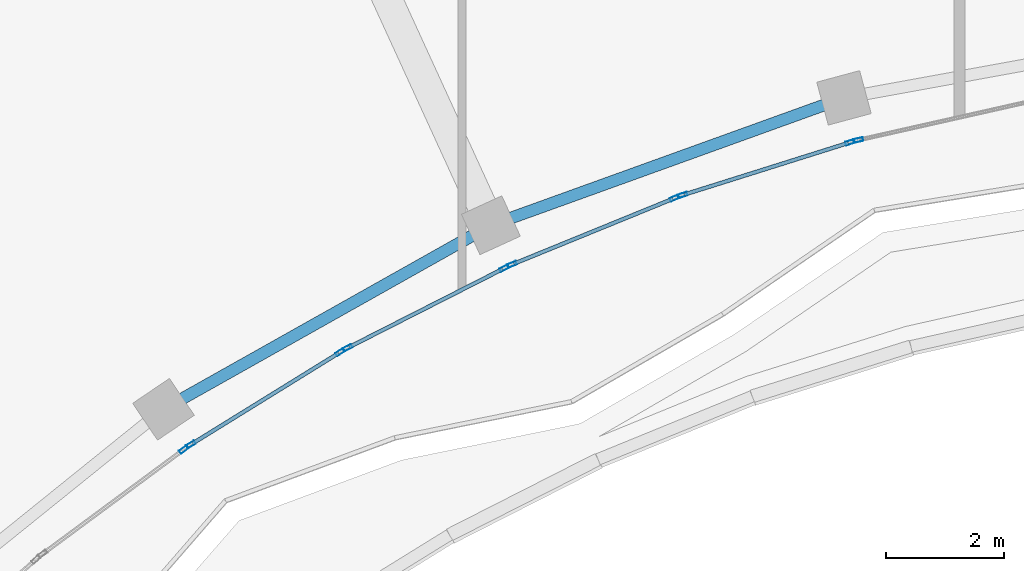
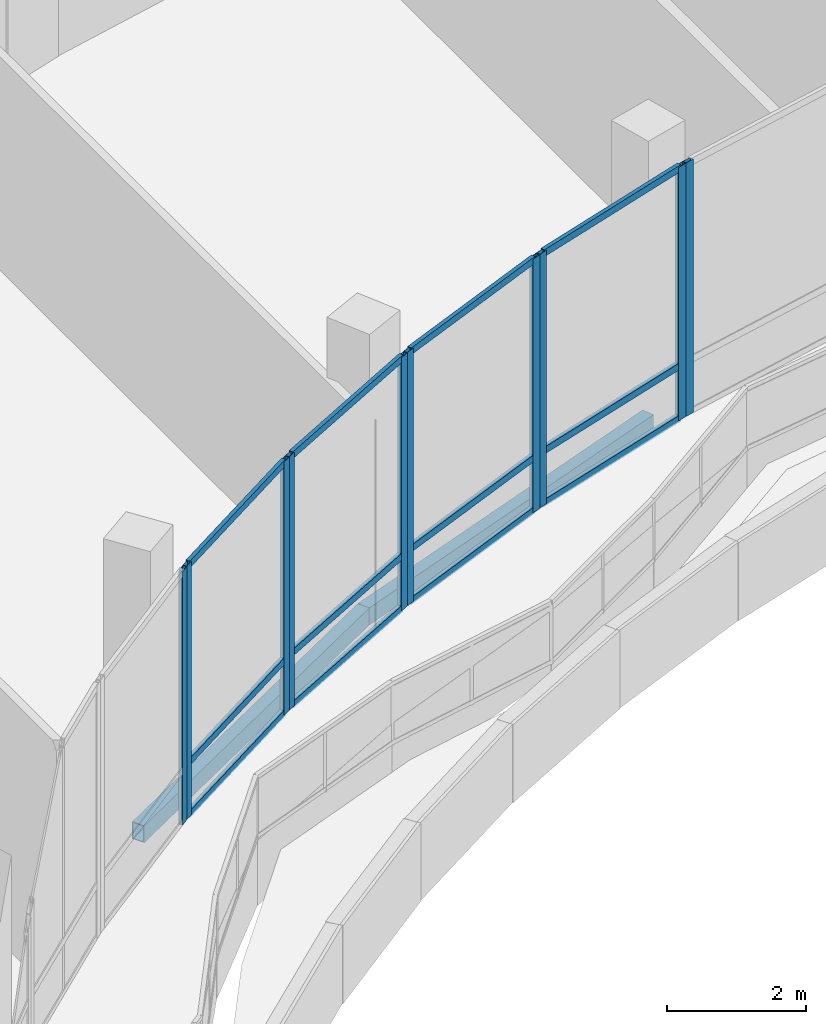
# One storey, part 64 of 168: 22 members, 2 beams, 6 elements without a shape of their own.
"""IFC4 building model written with IfcOpenShell, lengths in metres."""

import ifcopenshell
import ifcopenshell.guid

model = None  # the IFC model being written
_history = None  # IfcOwnerHistory: only IFC2X3 demands one
_inside = {}  # id of a spatial element -> (the spatial element, [elements in it])
_under = {}  # id of a project, library or spatial element -> (it, [spatial elements below it])
_declared = {}  # id of a project -> (the project, [libraries it declares])
_typed = {}  # id of a type object -> (the type object, [elements of that type])
_made_of = {}  # id of a material, layer set ... -> (it, [elements and type objects made of it])


def new_model(schema):
    """Start an empty IFC model of exactly this schema.

    Asked for "IFC4X3", IfcOpenShell would pick the latest addendum, in which some entities
    have other attributes; the version numbers below select the first issue.
    IFC2X3 requires an IfcOwnerHistory on every rooted entity: one is made here for all.
    """
    global model, _history
    if schema == "IFC4X3":
        model = ifcopenshell.file(schema_version=(4, 3, 0, 0))
    else:
        model = ifcopenshell.file(schema=schema)
    _inside.clear()
    _under.clear()
    _declared.clear()
    _typed.clear()
    _made_of.clear()
    _history = None
    if model.schema == "IFC2X3":
        org = make("IfcOrganization", Name="unknown")
        user = make(
            "IfcPersonAndOrganization",
            ThePerson=make("IfcPerson", FamilyName="unknown"),
            TheOrganization=org,
        )
        app = make(
            "IfcApplication",
            ApplicationDeveloper=org,
            Version="unknown",
            ApplicationFullName="unknown",
            ApplicationIdentifier="unknown",
        )
        _history = make(
            "IfcOwnerHistory",
            OwningUser=user,
            OwningApplication=app,
            ChangeAction="ADDED",
            CreationDate=0,
        )
    return model


def make(cls, **values):
    """One entity of the class cls with the attributes given. An attribute that is None is left unset."""
    return model.create_entity(
        cls, **{name: value for name, value in values.items() if value is not None}
    )


def rooted(cls, **values):
    """An entity with a GlobalId (a new one), such as an element, a storey or a relation."""
    return make(cls, GlobalId=ifcopenshell.guid.new(), OwnerHistory=_history, **values)


def si_unit(unit_type, name, prefix=None):
    """IfcSIUnit, for example si_unit("LENGTHUNIT", "METRE", prefix="MILLI")."""
    return make("IfcSIUnit", UnitType=unit_type, Prefix=prefix, Name=name)


def assignment(units):
    """IfcUnitAssignment: the units of a project."""
    return None if units is None else make("IfcUnitAssignment", Units=units)


def point(xyz):
    """IfcCartesianPoint."""
    return None if xyz is None else make("IfcCartesianPoint", Coordinates=xyz)


def direction(xyz):
    """IfcDirection."""
    return None if xyz is None else make("IfcDirection", DirectionRatios=xyz)


def frame(location, z_axis=None, x_axis=None):
    """IfcAxis2Placement3D, a coordinate frame: its origin and axes. An axis left out is left unset."""
    return make(
        "IfcAxis2Placement3D",
        Location=point(location),
        Axis=direction(z_axis),
        RefDirection=direction(x_axis),
    )


def frame_2d(location, x_axis=None):
    """IfcAxis2Placement2D, a coordinate frame in the plane: its origin and x axis."""
    return make(
        "IfcAxis2Placement2D", Location=point(location), RefDirection=direction(x_axis)
    )


def origin():
    """The frame at (0, 0, 0) with its axes left unset."""
    return frame((0.0, 0.0, 0.0))


def origin_2d():
    """The frame at (0, 0) in the plane with its x axis left unset."""
    return frame_2d((0.0, 0.0))


def place(relative_to, where):
    """IfcLocalPlacement: puts the frame where relative to a parent placement (None: the world)."""
    return make(
        "IfcLocalPlacement", PlacementRelTo=relative_to, RelativePlacement=where
    )


def context(
    kind, dimensions, precision=None, world=None, true_north=None, identifier=None
):
    """IfcGeometricRepresentationContext, for example the 3D "Model" context."""
    return make(
        "IfcGeometricRepresentationContext",
        ContextIdentifier=identifier,
        ContextType=kind,
        CoordinateSpaceDimension=dimensions,
        Precision=precision,
        WorldCoordinateSystem=world,
        TrueNorth=true_north,
    )


def subcontext(parent, identifier, kind, view, scale=None):
    """IfcGeometricRepresentationSubContext, for example "Body" below "Model"."""
    return make(
        "IfcGeometricRepresentationSubContext",
        ContextIdentifier=identifier,
        ContextType=kind,
        ParentContext=parent,
        TargetScale=scale,
        TargetView=view,
    )


def project(units=None, contexts=None):
    """IfcProject with its units and contexts."""
    return rooted(
        "IfcProject",
        Name="project",
        RepresentationContexts=contexts,
        UnitsInContext=assignment(units),
    )


def spatial(cls, under=None, at=None, **own):
    """A site, building, storey or space (cls), placed at a placement, below another one or the project."""
    s = rooted(cls, ObjectPlacement=at, **own)
    if under is not None:
        _under.setdefault(under.id(), (under, []))[1].append(s)
    return s


def profile(cls, at=None, kind="AREA", **sizes):
    """A parametric profile (cls). Its sizes go by their IFC names, for example OverallWidth=200.0."""
    return make(cls, ProfileType=kind, Position=at, **sizes)


def hollow_rectangle(**sizes):
    """IfcRectangleHollowProfileDef."""
    return profile("IfcRectangleHollowProfileDef", **sizes)


def extrude(swept, where, along, depth):
    """IfcExtrudedAreaSolid: the profile swept, set in the frame where, extruded along a direction by depth."""
    return make(
        "IfcExtrudedAreaSolid",
        SweptArea=swept,
        Position=where,
        ExtrudedDirection=direction(along),
        Depth=depth,
    )


def shape(context_of_items, identifier, shape_type, items):
    """IfcShapeRepresentation: the items that make up one representation, for example the "Body"."""
    return make(
        "IfcShapeRepresentation",
        ContextOfItems=context_of_items,
        RepresentationIdentifier=identifier,
        RepresentationType=shape_type,
        Items=items,
    )


def material(Name=None, Category=None):
    """IfcMaterial."""
    return make("IfcMaterial", Name=Name, Category=Category)


def material_profile(
    of_material, cross_section, Name=None, Category=None, Priority=None
):
    """IfcMaterialProfile: a cross section and its material."""
    return make(
        "IfcMaterialProfile",
        Name=Name,
        Material=of_material,
        Profile=cross_section,
        Priority=Priority,
        Category=Category,
    )


def profile_set(profiles, Name=None, composite=None):
    """IfcMaterialProfileSet."""
    return make(
        "IfcMaterialProfileSet",
        Name=Name,
        MaterialProfiles=profiles,
        CompositeProfile=composite,
    )


def made_of(thing, what):
    """Note that an element or type object is made of a material, layer set ...; save() writes the relation."""
    if what is not None:
        _made_of.setdefault(what.id(), (what, []))[1].append(thing)
    return thing


def type_object(cls, material=None, **own):
    """A type object (cls), such as IfcWallType, which elements share."""
    return made_of(rooted(cls, **own), material)


def element(
    cls,
    number,
    at=None,
    inside=None,
    cuts=None,
    type_object=None,
    material=None,
    context=None,
    identifier="Body",
    shape_type=None,
    held_by="IfcProductDefinitionShape",
    body=None,
    shapes=None,
    **own,
):
    """One element of the class cls, such as IfcWall. Its Tag is "e" and its number.

    at: its placement. inside: the storey or other place that contains it. cuts: it is an
    opening in that element (IfcRelVoidsElement). A single representation is given by context,
    identifier, shape_type and body (its items); several are given by shapes. held_by: the class
    of the entity that holds the representations. save() writes the other relations.
    """
    e = rooted(cls, Tag="e%d" % number, ObjectPlacement=at, **own)
    if body is not None:
        shapes = [shape(context, identifier, shape_type, body)]
    if shapes is not None:
        e.Representation = make(held_by, Representations=shapes)
    if inside is not None:
        _inside.setdefault(inside.id(), (inside, []))[1].append(e)
    if cuts is not None:
        rooted(
            "IfcRelVoidsElement", RelatingBuildingElement=cuts, RelatedOpeningElement=e
        )
    if type_object is not None:
        _typed.setdefault(type_object.id(), (type_object, []))[1].append(e)
    return made_of(e, material)


def aggregate(whole, parts):
    """IfcRelAggregates: a whole, such as a stair, and the parts it consists of."""
    return rooted("IfcRelAggregates", RelatingObject=whole, RelatedObjects=parts)


def save(model, path):
    """Write the relations noted so far, then the file.

    IfcRelAggregates (storeys below a building ...), IfcRelContainedInSpatialStructure (elements
    in a storey), IfcRelDefinesByType, IfcRelAssociatesMaterial and IfcRelDeclares: one each for
    every whole, place, type object, material and project.
    """
    for whole, parts in _under.values():
        aggregate(whole, parts)
    for where, things in _inside.values():
        rooted(
            "IfcRelContainedInSpatialStructure",
            RelatedElements=things,
            RelatingStructure=where,
        )
    for kind, things in _typed.values():
        rooted("IfcRelDefinesByType", RelatedObjects=things, RelatingType=kind)
    for what, things in _made_of.values():
        rooted("IfcRelAssociatesMaterial", RelatedObjects=things, RelatingMaterial=what)
    for by, libraries in _declared.values():
        rooted("IfcRelDeclares", RelatingContext=by, RelatedDefinitions=libraries)
    model.write(path)


model = new_model("IFC4")

# Units and contexts
model_context = context("Model", 3, precision=1e-05, world=origin(), true_north=direction((0.0, 1.0)))
body_context = subcontext(model_context, "Body", "Model", "MODEL_VIEW")
ifc_project = project(units=[si_unit("LENGTHUNIT", "METRE"), si_unit("AREAUNIT", "SQUARE_METRE"), si_unit("VOLUMEUNIT", "CUBIC_METRE"), si_unit("PLANEANGLEUNIT", "RADIAN"), si_unit("MASSUNIT", "GRAM", prefix="KILO")], contexts=[model_context])

# Site, building, storey
site_placement = place(None, origin())
site = spatial("IfcSite", under=ifc_project, at=site_placement, CompositionType="ELEMENT")
building_placement = place(site_placement, origin())
building = spatial("IfcBuilding", under=site, at=building_placement, Name="Selatvlak General Hospital", CompositionType="ELEMENT")
storey_placement = place(building_placement, frame((0.0, 0.0, 5.39990234375)))
storey = spatial("IfcBuildingStorey", under=building, at=storey_placement, Name="L01", CompositionType="ELEMENT", Elevation=5.39990234375)

# Beams
ifc_material_1 = material(Name="Steel S355", Category="steel")
ifc_material_profile_1 = material_profile(ifc_material_1, hollow_rectangle(XDim=0.199951171875, YDim=0.300048828125, WallThickness=0.011962890625, at=origin_2d()), Name="RHS 300x200x12")
ifc_profile_set_1 = profile_set([ifc_material_profile_1], Name="Steel S355")
beam_type = type_object("IfcBeamType", Name="BM-SP3", PredefinedType="SPANDREL", material=ifc_profile_set_1)
beam_1_placement = place(storey_placement, frame((118.552978515625, 48.172119140625, -0.469970703125), z_axis=(0.871730663488, 0.489985357266, 0.0), x_axis=(-0.489985357266, 0.871730663488, 0.0)))
element("IfcBeam", 1, at=beam_1_placement, inside=storey, type_object=beam_type, Name="Beam BMR-L01-0761", PredefinedType="SPANDREL", context=body_context, shape_type="SweptSolid", body=[
    extrude(hollow_rectangle(XDim=0.199951171875, YDim=0.300048828125, WallThickness=0.011962890625, at=origin_2d()), origin(), (0.0, 0.0, 1.0), 6.344970703125),
])
beam_2_placement = place(storey_placement, frame((124.083984375, 51.281005859375, -0.469970703125), z_axis=(0.94065259152, 0.339371038933, 0.0), x_axis=(-0.339371038933, 0.94065259152, 0.0)))
element("IfcBeam", 2, at=beam_2_placement, inside=storey, type_object=beam_type, Name="Beam BMR-L01-0762", PredefinedType="SPANDREL", context=body_context, shape_type="SweptSolid", body=[
    extrude(hollow_rectangle(XDim=0.199951171875, YDim=0.300048828125, WallThickness=0.011962890625, at=origin_2d()), origin(), (0.0, 0.0, 1.0), 6.341552734375),
])

# Curtain wall, member
ifc_material_2 = material(Name="Solar-control Low-E double glazing", Category="glass")
curtain_wall_type_1 = type_object("IfcCurtainWallType", Name="CW-CW-01", PredefinedType="USERDEFINED", material=ifc_material_2)
curtain_wall_1_placement = place(storey_placement, origin())
curtain_wall_1 = element("IfcCurtainWall", 3, at=curtain_wall_1_placement, inside=storey, type_object=curtain_wall_type_1, Name="Glazed facade curtain wall CW-L01-0155", ObjectType="UNITISED CURTAIN WALL", PredefinedType="USERDEFINED")
ifc_material_3 = material(Name="Dark anodised aluminium mullion", Category="aluminium")
ifc_material_profile_2 = material_profile(ifc_material_3, hollow_rectangle(XDim=0.06494140625, YDim=0.159912109375, WallThickness=0.00390625, at=origin_2d()), Name="AL-MUL 65x160x4")
ifc_profile_set_2 = profile_set([ifc_material_profile_2], Name="Dark anodised aluminium mullion")
member_type_1 = type_object("IfcMemberType", Name="CWM-01", PredefinedType="MULLION", material=ifc_profile_set_2)
member_1_placement = place(storey_placement, frame((130.292724609375, 52.72021484375, 0.0), z_axis=(0.0, 0.0, 1.0), x_axis=(0.219653455874, -0.975577961684, 0.0)))
member_1 = element("IfcMember", 4, at=member_1_placement, type_object=member_type_1, Name="CW-01 mullion 2", PredefinedType="MULLION", context=body_context, shape_type="SweptSolid", body=[
    extrude(hollow_rectangle(XDim=0.06494140625, YDim=0.159912109375, WallThickness=0.00390625, at=origin_2d()), origin(), (0.0, 0.0, 1.0), 4.445068359375),
])
aggregate(curtain_wall_1, [member_1])

# Curtain wall, members
curtain_wall_type_2 = type_object("IfcCurtainWallType", Name="CW-CW-02", PredefinedType="USERDEFINED", material=ifc_material_2)
curtain_wall_2_placement = place(storey_placement, origin())
curtain_wall_2 = element("IfcCurtainWall", 5, at=curtain_wall_2_placement, inside=storey, type_object=curtain_wall_type_2, Name="Glazed facade curtain wall CW-L01-0156", ObjectType="UNITISED CURTAIN WALL", PredefinedType="USERDEFINED")
member_2_placement = place(storey_placement, frame((130.153076171875, 52.68115234375, 0.0), z_axis=(0.0, 0.0, 1.0), x_axis=(0.300246961422, -0.953861500511, 0.0)))
member_2 = element("IfcMember", 6, at=member_2_placement, type_object=member_type_1, Name="CW-02 mullion 1", PredefinedType="MULLION", context=body_context, shape_type="SweptSolid", body=[
    extrude(hollow_rectangle(XDim=0.06494140625, YDim=0.159912109375, WallThickness=0.00390625, at=origin_2d()), origin(), (0.0, 0.0, 1.0), 4.445068359375),
])
member_3_placement = place(storey_placement, frame((127.323974609375, 51.790771484375, 0.0), z_axis=(0.0, 0.0, 1.0), x_axis=(0.300246961422, -0.953861500511, 0.0)))
member_3 = element("IfcMember", 7, at=member_3_placement, type_object=member_type_1, Name="CW-02 mullion 2", PredefinedType="MULLION", context=body_context, shape_type="SweptSolid", body=[
    extrude(hollow_rectangle(XDim=0.06494140625, YDim=0.159912109375, WallThickness=0.00390625, at=origin_2d()), origin(), (0.0, 0.0, 1.0), 4.445068359375),
])

curtain_wall_3_placement = place(storey_placement, origin())
curtain_wall_3 = element("IfcCurtainWall", 8, at=curtain_wall_3_placement, inside=storey, type_object=curtain_wall_type_1, Name="Glazed facade curtain wall CW-L01-0157", ObjectType="UNITISED CURTAIN WALL", PredefinedType="USERDEFINED")
member_4_placement = place(storey_placement, frame((127.18896484375, 51.73974609375, 0.0), z_axis=(0.0, 0.0, 1.0), x_axis=(0.377977773903, -0.925814669594, 0.0)))
member_4 = element("IfcMember", 9, at=member_4_placement, type_object=member_type_1, Name="CW-01 mullion 1", PredefinedType="MULLION", context=body_context, shape_type="SweptSolid", body=[
    extrude(hollow_rectangle(XDim=0.06494140625, YDim=0.159912109375, WallThickness=0.00390625, at=origin_2d()), origin(), (0.0, 0.0, 1.0), 4.445068359375),
])
member_5_placement = place(storey_placement, frame((124.442138671875, 50.6181640625, 0.0), z_axis=(0.0, 0.0, 1.0), x_axis=(0.377977773903, -0.925814669594, 0.0)))
member_5 = element("IfcMember", 10, at=member_5_placement, type_object=member_type_1, Name="CW-01 mullion 2", PredefinedType="MULLION", context=body_context, shape_type="SweptSolid", body=[
    extrude(hollow_rectangle(XDim=0.06494140625, YDim=0.159912109375, WallThickness=0.00390625, at=origin_2d()), origin(), (0.0, 0.0, 1.0), 4.445068359375),
])

curtain_wall_4_placement = place(storey_placement, origin())
curtain_wall_4 = element("IfcCurtainWall", 11, at=curtain_wall_4_placement, inside=storey, type_object=curtain_wall_type_2, Name="Glazed facade curtain wall CW-L01-0158", ObjectType="UNITISED CURTAIN WALL", PredefinedType="USERDEFINED")
member_6_placement = place(storey_placement, frame((124.31103515625, 50.55517578125, 0.0), z_axis=(0.0, 0.0, 1.0), x_axis=(0.453135718509, -0.89144154077, 0.0)))
member_6 = element("IfcMember", 12, at=member_6_placement, type_object=member_type_1, Name="CW-02 mullion 1", PredefinedType="MULLION", context=body_context, shape_type="SweptSolid", body=[
    extrude(hollow_rectangle(XDim=0.06494140625, YDim=0.159912109375, WallThickness=0.00390625, at=origin_2d()), origin(), (0.0, 0.0, 1.0), 4.445068359375),
])
member_7_placement = place(storey_placement, frame((121.6640625, 49.209716796875, 0.0), z_axis=(0.0, 0.0, 1.0), x_axis=(0.453135718509, -0.89144154077, 0.0)))
member_7 = element("IfcMember", 13, at=member_7_placement, type_object=member_type_1, Name="CW-02 mullion 2", PredefinedType="MULLION", context=body_context, shape_type="SweptSolid", body=[
    extrude(hollow_rectangle(XDim=0.06494140625, YDim=0.159912109375, WallThickness=0.00390625, at=origin_2d()), origin(), (0.0, 0.0, 1.0), 4.445068359375),
])

curtain_wall_5_placement = place(storey_placement, origin())
curtain_wall_5 = element("IfcCurtainWall", 14, at=curtain_wall_5_placement, inside=storey, type_object=curtain_wall_type_1, Name="Glazed facade curtain wall CW-L01-0159", ObjectType="UNITISED CURTAIN WALL", PredefinedType="USERDEFINED")
member_8_placement = place(storey_placement, frame((121.538330078125, 49.136962890625, 0.0), z_axis=(0.0, 0.0, 1.0), x_axis=(0.526047826435, -0.850454986641, 0.0)))
member_8 = element("IfcMember", 15, at=member_8_placement, type_object=member_type_1, Name="CW-01 mullion 1", PredefinedType="MULLION", context=body_context, shape_type="SweptSolid", body=[
    extrude(hollow_rectangle(XDim=0.06494140625, YDim=0.159912109375, WallThickness=0.00390625, at=origin_2d()), origin(), (0.0, 0.0, 1.0), 4.445068359375),
])
member_9_placement = place(storey_placement, frame((119.0166015625, 47.5771484375, 0.0), z_axis=(0.0, 0.0, 1.0), x_axis=(0.526047826435, -0.850454986641, 0.0)))
member_9 = element("IfcMember", 16, at=member_9_placement, type_object=member_type_1, Name="CW-01 mullion 2", PredefinedType="MULLION", context=body_context, shape_type="SweptSolid", body=[
    extrude(hollow_rectangle(XDim=0.06494140625, YDim=0.159912109375, WallThickness=0.00390625, at=origin_2d()), origin(), (0.0, 0.0, 1.0), 4.445068359375),
])

# Curtain wall, member
curtain_wall_6_placement = place(storey_placement, origin())
curtain_wall_6 = element("IfcCurtainWall", 17, at=curtain_wall_6_placement, inside=storey, type_object=curtain_wall_type_2, Name="Glazed facade curtain wall CW-L01-0160", ObjectType="UNITISED CURTAIN WALL", PredefinedType="USERDEFINED")
member_10_placement = place(storey_placement, frame((118.89794921875, 47.49365234375, 0.0), z_axis=(0.0, 0.0, 1.0), x_axis=(0.594604312607, -0.804018477045, 0.0)))
member_10 = element("IfcMember", 18, at=member_10_placement, type_object=member_type_1, Name="CW-02 mullion 1", PredefinedType="MULLION", context=body_context, shape_type="SweptSolid", body=[
    extrude(hollow_rectangle(XDim=0.06494140625, YDim=0.159912109375, WallThickness=0.00390625, at=origin_2d()), origin(), (0.0, 0.0, 1.0), 4.445068359375),
])
aggregate(curtain_wall_6, [member_10])

# Member
ifc_material_profile_3 = material_profile(ifc_material_3, hollow_rectangle(XDim=0.06494140625, YDim=0.1201171875, WallThickness=0.00390625, at=origin_2d()), Name="AL-TRN 65x120x4")
ifc_profile_set_3 = profile_set([ifc_material_profile_3], Name="Dark anodised aluminium mullion")
member_type_2 = type_object("IfcMemberType", Name="CWT-01", PredefinedType="USERDEFINED", material=ifc_profile_set_3)
member_11_placement = place(storey_placement, frame((130.1220703125, 52.67138671875, 0.03271484375), z_axis=(-0.95387603128, -0.300200794386, 0.0), x_axis=(0.300200794386, -0.95387603128, 0.0)))
member_11 = element("IfcMember", 19, at=member_11_placement, type_object=member_type_2, Name="CW-02 transom 1.1", ObjectType="TRANSOM", PredefinedType="USERDEFINED", context=body_context, shape_type="SweptSolid", body=[
    extrude(hollow_rectangle(XDim=0.06494140625, YDim=0.1201171875, WallThickness=0.00390625, at=origin_2d()), origin(), (0.0, 0.0, 1.0), 2.90087890625),
])

member_12_placement = place(storey_placement, frame((130.1220703125, 52.67138671875, 0.9501953125), z_axis=(-0.95387603128, -0.300200794386, 0.0), x_axis=(0.300200794386, -0.95387603128, 0.0)))
member_12 = element("IfcMember", 20, at=member_12_placement, type_object=member_type_2, Name="CW-02 transom 1.2", ObjectType="TRANSOM", PredefinedType="USERDEFINED", context=body_context, shape_type="SweptSolid", body=[
    extrude(hollow_rectangle(XDim=0.06494140625, YDim=0.1201171875, WallThickness=0.00390625, at=origin_2d()), origin(), (0.0, 0.0, 1.0), 2.90087890625),
])

member_13_placement = place(storey_placement, frame((130.1220703125, 52.67138671875, 4.41259765625), z_axis=(-0.95387603128, -0.300200794386, 0.0), x_axis=(0.300200794386, -0.95387603128, 0.0)))
member_13 = element("IfcMember", 21, at=member_13_placement, type_object=member_type_2, Name="CW-02 transom 1.3", ObjectType="TRANSOM", PredefinedType="USERDEFINED", context=body_context, shape_type="SweptSolid", body=[
    extrude(hollow_rectangle(XDim=0.06494140625, YDim=0.1201171875, WallThickness=0.00390625, at=origin_2d()), origin(), (0.0, 0.0, 1.0), 2.90087890625),
])

aggregate(curtain_wall_2, [member_2, member_3, member_11, member_12, member_13])

member_14_placement = place(storey_placement, frame((127.158935546875, 51.7275390625, 0.03271484375), z_axis=(-0.925813400573, -0.377980882215, 0.0), x_axis=(0.377980882215, -0.925813400573, 0.0)))
member_14 = element("IfcMember", 22, at=member_14_placement, type_object=member_type_2, Name="CW-01 transom 1.1", ObjectType="TRANSOM", PredefinedType="USERDEFINED", context=body_context, shape_type="SweptSolid", body=[
    extrude(hollow_rectangle(XDim=0.06494140625, YDim=0.1201171875, WallThickness=0.00390625, at=origin_2d()), origin(), (0.0, 0.0, 1.0), 2.902099609375),
])

member_15_placement = place(storey_placement, frame((127.158935546875, 51.7275390625, 0.9501953125), z_axis=(-0.925813400573, -0.377980882215, 0.0), x_axis=(0.377980882215, -0.925813400573, 0.0)))
member_15 = element("IfcMember", 23, at=member_15_placement, type_object=member_type_2, Name="CW-01 transom 1.2", ObjectType="TRANSOM", PredefinedType="USERDEFINED", context=body_context, shape_type="SweptSolid", body=[
    extrude(hollow_rectangle(XDim=0.06494140625, YDim=0.1201171875, WallThickness=0.00390625, at=origin_2d()), origin(), (0.0, 0.0, 1.0), 2.902099609375),
])

member_16_placement = place(storey_placement, frame((127.158935546875, 51.7275390625, 4.41259765625), z_axis=(-0.925813400573, -0.377980882215, 0.0), x_axis=(0.377980882215, -0.925813400573, 0.0)))
member_16 = element("IfcMember", 24, at=member_16_placement, type_object=member_type_2, Name="CW-01 transom 1.3", ObjectType="TRANSOM", PredefinedType="USERDEFINED", context=body_context, shape_type="SweptSolid", body=[
    extrude(hollow_rectangle(XDim=0.06494140625, YDim=0.1201171875, WallThickness=0.00390625, at=origin_2d()), origin(), (0.0, 0.0, 1.0), 2.902099609375),
])

aggregate(curtain_wall_3, [member_4, member_5, member_14, member_15, member_16])

member_17_placement = place(storey_placement, frame((124.281982421875, 50.54052734375, 0.03271484375), z_axis=(-0.891431749589, -0.453154979918, 0.0), x_axis=(0.453154979918, -0.891431749589, 0.0)))
member_17 = element("IfcMember", 25, at=member_17_placement, type_object=member_type_2, Name="CW-02 transom 1.1", ObjectType="TRANSOM", PredefinedType="USERDEFINED", context=body_context, shape_type="SweptSolid", body=[
    extrude(hollow_rectangle(XDim=0.06494140625, YDim=0.1201171875, WallThickness=0.00390625, at=origin_2d()), origin(), (0.0, 0.0, 1.0), 2.904541015625),
])

member_18_placement = place(storey_placement, frame((124.281982421875, 50.54052734375, 0.9501953125), z_axis=(-0.891431749589, -0.453154979918, 0.0), x_axis=(0.453154979918, -0.891431749589, 0.0)))
member_18 = element("IfcMember", 26, at=member_18_placement, type_object=member_type_2, Name="CW-02 transom 1.2", ObjectType="TRANSOM", PredefinedType="USERDEFINED", context=body_context, shape_type="SweptSolid", body=[
    extrude(hollow_rectangle(XDim=0.06494140625, YDim=0.1201171875, WallThickness=0.00390625, at=origin_2d()), origin(), (0.0, 0.0, 1.0), 2.904541015625),
])

member_19_placement = place(storey_placement, frame((124.281982421875, 50.54052734375, 4.41259765625), z_axis=(-0.891431749589, -0.453154979918, 0.0), x_axis=(0.453154979918, -0.891431749589, 0.0)))
member_19 = element("IfcMember", 27, at=member_19_placement, type_object=member_type_2, Name="CW-02 transom 1.3", ObjectType="TRANSOM", PredefinedType="USERDEFINED", context=body_context, shape_type="SweptSolid", body=[
    extrude(hollow_rectangle(XDim=0.06494140625, YDim=0.1201171875, WallThickness=0.00390625, at=origin_2d()), origin(), (0.0, 0.0, 1.0), 2.904541015625),
])

aggregate(curtain_wall_4, [member_6, member_7, member_17, member_18, member_19])

member_20_placement = place(storey_placement, frame((121.5107421875, 49.119873046875, 0.03271484375), z_axis=(-0.850462425048, -0.526035800666, 0.0), x_axis=(0.526035800666, -0.850462425048, 0.0)))
member_20 = element("IfcMember", 28, at=member_20_placement, type_object=member_type_2, Name="CW-01 transom 1.1", ObjectType="TRANSOM", PredefinedType="USERDEFINED", context=body_context, shape_type="SweptSolid", body=[
    extrude(hollow_rectangle(XDim=0.06494140625, YDim=0.1201171875, WallThickness=0.00390625, at=origin_2d()), origin(), (0.0, 0.0, 1.0), 2.900146484375),
])

member_21_placement = place(storey_placement, frame((121.5107421875, 49.119873046875, 0.9501953125), z_axis=(-0.850462425048, -0.526035800666, 0.0), x_axis=(0.526035800666, -0.850462425048, 0.0)))
member_21 = element("IfcMember", 29, at=member_21_placement, type_object=member_type_2, Name="CW-01 transom 1.2", ObjectType="TRANSOM", PredefinedType="USERDEFINED", context=body_context, shape_type="SweptSolid", body=[
    extrude(hollow_rectangle(XDim=0.06494140625, YDim=0.1201171875, WallThickness=0.00390625, at=origin_2d()), origin(), (0.0, 0.0, 1.0), 2.900146484375),
])

member_22_placement = place(storey_placement, frame((121.5107421875, 49.119873046875, 4.41259765625), z_axis=(-0.850462425048, -0.526035800666, 0.0), x_axis=(0.526035800666, -0.850462425048, 0.0)))
member_22 = element("IfcMember", 30, at=member_22_placement, type_object=member_type_2, Name="CW-01 transom 1.3", ObjectType="TRANSOM", PredefinedType="USERDEFINED", context=body_context, shape_type="SweptSolid", body=[
    extrude(hollow_rectangle(XDim=0.06494140625, YDim=0.1201171875, WallThickness=0.00390625, at=origin_2d()), origin(), (0.0, 0.0, 1.0), 2.900146484375),
])

aggregate(curtain_wall_5, [member_8, member_9, member_20, member_21, member_22])

save(model, "model.ifc")
